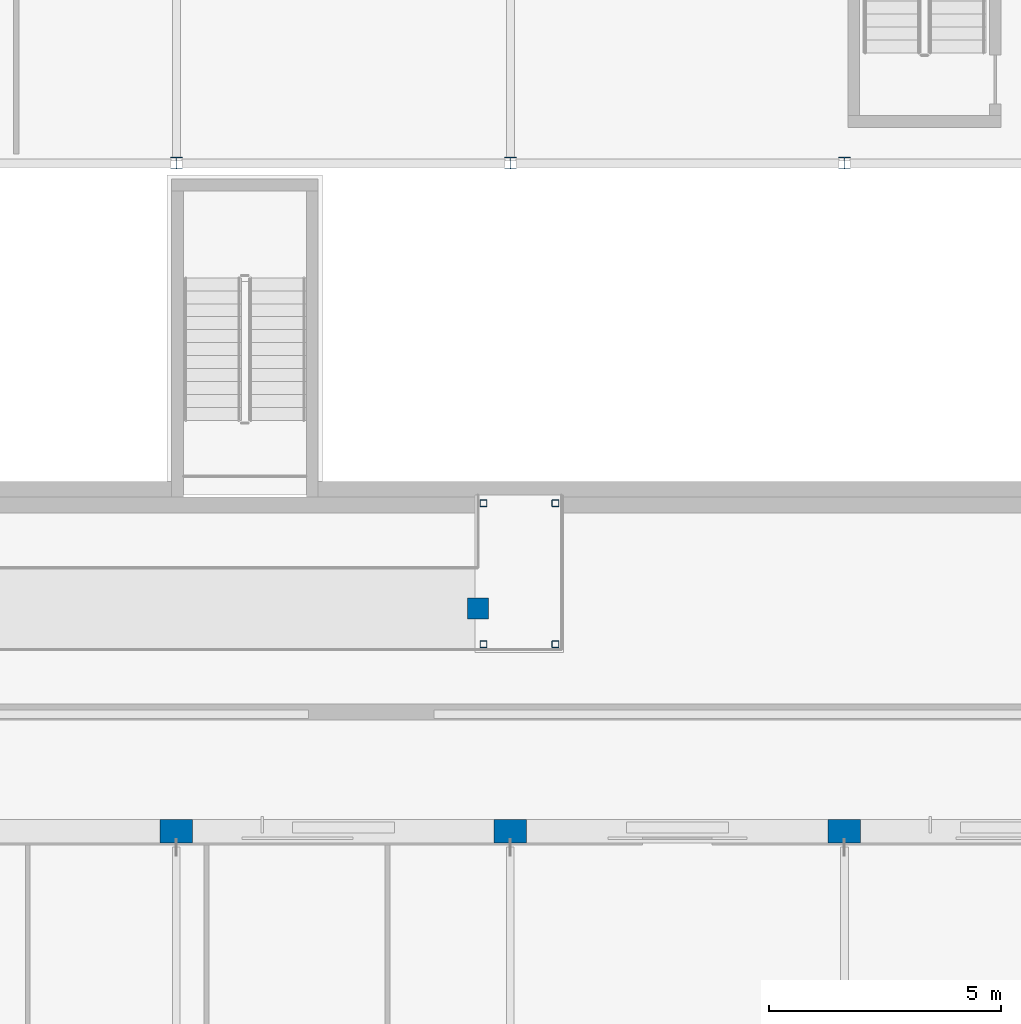
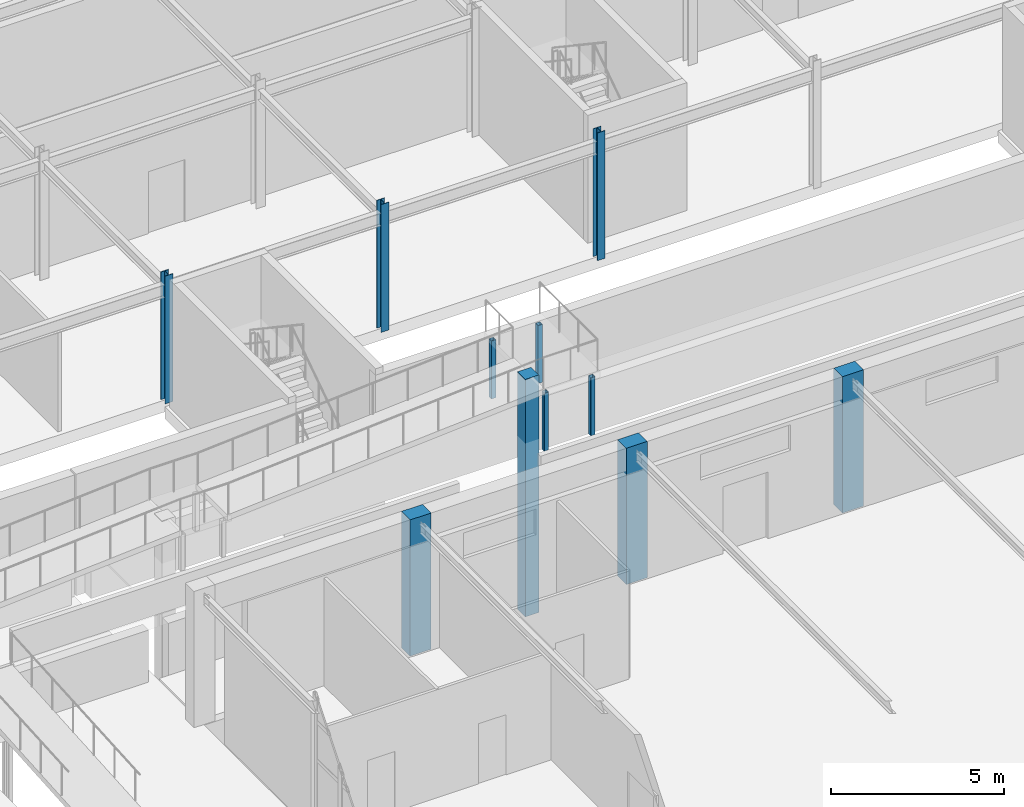
# One storey, part 15 of 85: 11 columns.
"""IFC4 building model written with IfcOpenShell, lengths in metres."""

from ifc_helpers import new_model, si_unit, direction, frame, origin, origin_2d, place, context, subcontext, project, spatial, rectangle, hollow_rectangle, i_section, extrude, material, material_profile, profile_set, type_object, element, save


model = new_model("IFC4")

# Units and contexts
model_context = context("Model", 3, precision=1e-05, world=origin(), true_north=direction((0.0, 1.0)))
body_context = subcontext(model_context, "Body", "Model", "MODEL_VIEW")
ifc_project = project(units=[si_unit("LENGTHUNIT", "METRE"), si_unit("AREAUNIT", "SQUARE_METRE"), si_unit("VOLUMEUNIT", "CUBIC_METRE"), si_unit("PLANEANGLEUNIT", "RADIAN"), si_unit("MASSUNIT", "GRAM", prefix="KILO")], contexts=[model_context])

# Site, building, storey
site_placement = place(None, origin())
site = spatial("IfcSite", under=ifc_project, at=site_placement, CompositionType="ELEMENT")
building_placement = place(site_placement, origin())
building = spatial("IfcBuilding", under=site, at=building_placement, Name="Ochrevale Crest", CompositionType="ELEMENT")
storey_placement = place(building_placement, origin())
storey = spatial("IfcBuildingStorey", under=building, at=storey_placement, Name="L00", CompositionType="ELEMENT", Elevation=0.0)

# Columns
ifc_material_1 = material(Name="Precast concrete C40/50", Category="concrete")
ifc_material_profile_1 = material_profile(ifc_material_1, rectangle(XDim=0.449951171875, YDim=0.449951171875, at=origin_2d()), Name="RC 450x450")
ifc_profile_set_1 = profile_set([ifc_material_profile_1], Name="Precast concrete C40/50")
column_type_1 = type_object("IfcColumnType", Name="COL-RC450x450", PredefinedType="COLUMN", material=ifc_profile_set_1)
column_placement = place(storey_placement, frame((71.300048828125, 69.60009765625, -3.860107421875), z_axis=(0.0, 0.0, 1.0), x_axis=(1.0, 0.0, 0.0)))
element("IfcColumn", 1, at=column_placement, inside=storey, type_object=column_type_1, Name="Foundation support pier FTG-PF-RW2C", PredefinedType="COLUMN", context=body_context, shape_type="SweptSolid", body=[
    extrude(rectangle(XDim=0.449951171875, YDim=0.449951171875, at=origin_2d()), origin(), (0.0, 0.0, 1.0), 8.360107421875),
])
ifc_material_2 = material(Name="Precast concrete C50/60", Category="concrete")
ifc_material_profile_2 = material_profile(ifc_material_2, rectangle(XDim=0.5, YDim=0.699951171875, at=origin_2d()), Name="RC 500x700")
ifc_profile_set_2 = profile_set([ifc_material_profile_2], Name="Precast concrete C50/60")
column_type_2 = type_object("IfcColumnType", Name="COL-RC500x700", PredefinedType="COLUMN", material=ifc_profile_set_2)
for number, where, z_axis, x_axis, name in (
    (2, (64.800048828125, 64.800048828125, 0.0), (0.0, 0.0, 1.0), (0.0, 1.0, 0.0), "Community Hall buttress column 2-N"),
    (3, (72.0, 64.800048828125, 0.0), (0.0, 0.0, 1.0), (0.0, 1.0, 0.0), "Community Hall buttress column 3-N"),
    (4, (79.199951171875, 64.800048828125, 0.0), (0.0, 0.0, 1.0), (0.0, 1.0, 0.0), "Community Hall buttress column 4-N"),
):
    element("IfcColumn", number, at=place(storey_placement, frame(where, z_axis=z_axis, x_axis=x_axis)), inside=storey, type_object=column_type_2, Name=name, PredefinedType="COLUMN", context=body_context, shape_type="SweptSolid", body=[
        extrude(rectangle(XDim=0.5, YDim=0.699951171875, at=origin_2d()), origin(), (0.0, 0.0, 1.0), 4.800048828125),
    ])
ifc_material_3 = material(Name="Steel S355", Category="steel")
ifc_material_profile_3 = material_profile(ifc_material_3, hollow_rectangle(XDim=0.14990234375, YDim=0.14990234375, WallThickness=0.006103515625, InnerFilletRadius=0.006103515625, OuterFilletRadius=0.011962890625, at=origin_2d()), Name="150x150x6.0SHS")
ifc_profile_set_3 = profile_set([ifc_material_profile_3], Name="Steel S355")
column_type_3 = type_object("IfcColumnType", Name="COL-SHS150", PredefinedType="COLUMN", material=ifc_profile_set_3)
for number, where, z_axis, x_axis, name in (
    (5, (71.419921875, 68.830078125, 2.25), (0.0, 0.0, 1.0), (1.0, 0.0, 0.0), "Ramp landing RMP-ACC-W2-TOP support post 1"),
    (6, (72.969970703125, 68.830078125, 2.25), (0.0, 0.0, 1.0), (1.0, 0.0, 0.0), "Ramp landing RMP-ACC-W2-TOP support post 2"),
    (7, (71.419921875, 71.8701171875, 2.25), (0.0, 0.0, 1.0), (1.0, 0.0, 0.0), "Ramp landing RMP-ACC-W2-TOP support post 3"),
    (8, (72.969970703125, 71.8701171875, 2.25), (0.0, 0.0, 1.0), (1.0, 0.0, 0.0), "Ramp landing RMP-ACC-W2-TOP support post 4"),
):
    element("IfcColumn", number, at=place(storey_placement, frame(where, z_axis=z_axis, x_axis=x_axis)), inside=storey, type_object=column_type_3, Name=name, PredefinedType="COLUMN", context=body_context, shape_type="SweptSolid", body=[
        extrude(hollow_rectangle(XDim=0.14990234375, YDim=0.14990234375, WallThickness=0.006103515625, InnerFilletRadius=0.006103515625, OuterFilletRadius=0.011962890625, at=origin_2d()), origin(), (0.0, 0.0, 1.0), 2.0400390625),
    ])
ifc_material_profile_4 = material_profile(ifc_material_3, i_section(OverallWidth=0.256103515625, OverallDepth=0.260009765625, WebThickness=0.010498046875, FlangeThickness=0.017333984375, FilletRadius=0.0126953125, at=origin_2d()), Name="250UC89.5")
ifc_profile_set_4 = profile_set([ifc_material_profile_4], Name="Steel S355")
column_type_4 = type_object("IfcColumnType", Name="COL-UC250B", PredefinedType="COLUMN", material=ifc_profile_set_4)
for number, where, z_axis, x_axis, name in (
    (9, (64.800048828125, 79.199951171875, 0.0), (0.0, 0.0, 1.0), (1.0, 0.0, 0.0), "Nursery L00 steel column (64.8,79.2)"),
    (10, (72.0, 79.199951171875, 0.0), (0.0, 0.0, 1.0), (1.0, 0.0, 0.0), "Nursery L00 steel column (72.0,79.2)"),
    (11, (79.199951171875, 79.199951171875, 0.0), (0.0, 0.0, 1.0), (1.0, 0.0, 0.0), "Nursery L00 steel column (79.2,79.2)"),
):
    element("IfcColumn", number, at=place(storey_placement, frame(where, z_axis=z_axis, x_axis=x_axis)), inside=storey, type_object=column_type_4, Name=name, PredefinedType="COLUMN", context=body_context, shape_type="SweptSolid", body=[
        extrude(i_section(OverallWidth=0.256103515625, OverallDepth=0.260009765625, WebThickness=0.010498046875, FlangeThickness=0.017333984375, FilletRadius=0.0126953125, at=origin_2d()), origin(), (0.0, 0.0, 1.0), 4.5),
    ])

save(model, "model.ifc")
